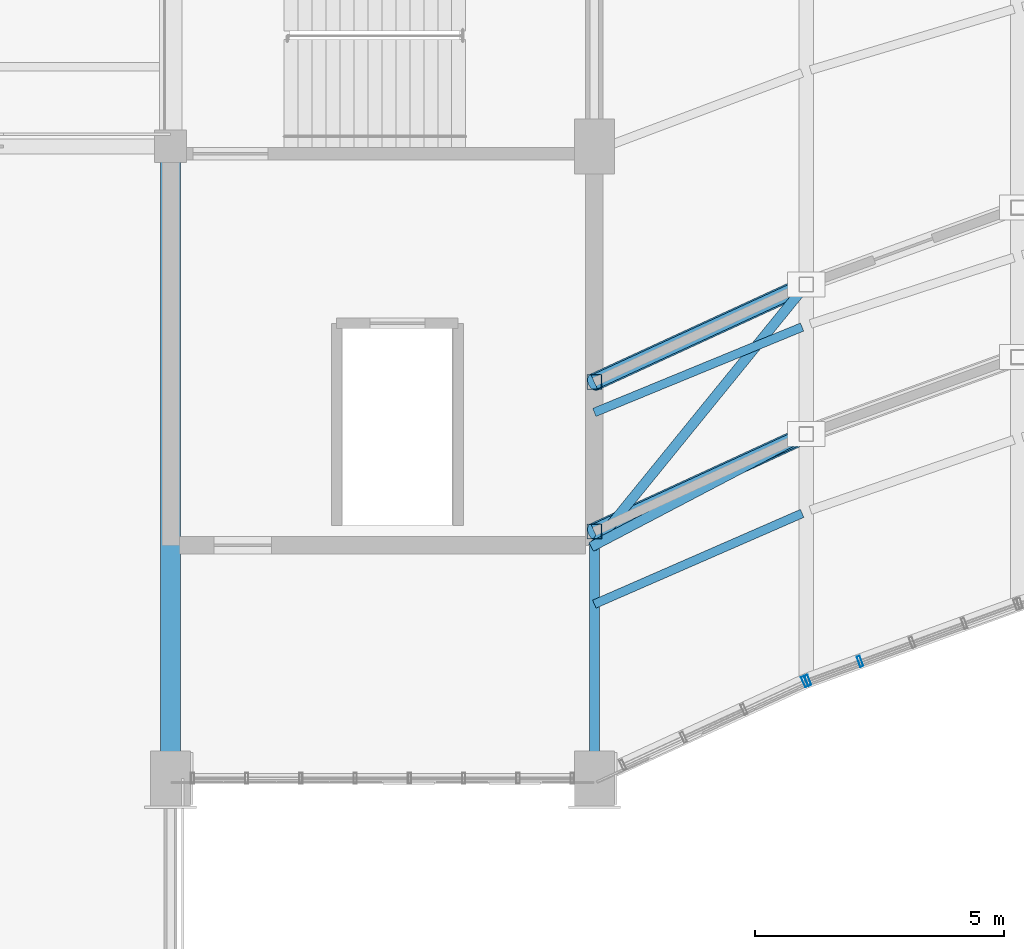
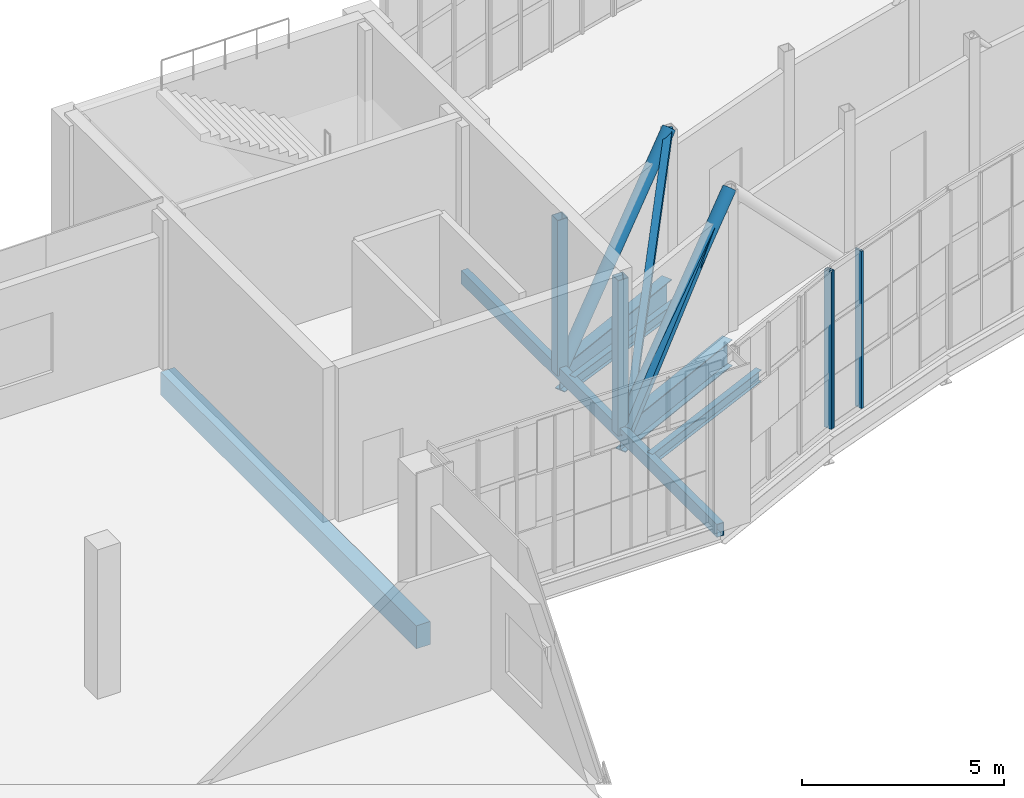
# One storey, part 17 of 66: 9 members, 6 beams, 2 elements without a shape of their own.
"""IFC4 building model written with IfcOpenShell, lengths in metres."""

from ifc_helpers import new_model, si_unit, direction, frame, origin, origin_2d, place, context, subcontext, project, spatial, rectangle, hollow_rectangle, hollow_circle, i_section, extrude, material, material_profile, profile_set, type_object, element, aggregate, save


model = new_model("IFC4")

# Units and contexts
model_context = context("Model", 3, precision=1e-05, world=origin(), true_north=direction((0.0, 1.0)))
body_context = subcontext(model_context, "Body", "Model", "MODEL_VIEW")
ifc_project = project(units=[si_unit("LENGTHUNIT", "METRE"), si_unit("AREAUNIT", "SQUARE_METRE"), si_unit("VOLUMEUNIT", "CUBIC_METRE"), si_unit("PLANEANGLEUNIT", "RADIAN"), si_unit("MASSUNIT", "GRAM", prefix="KILO")], contexts=[model_context])

# Site, building, storey
site_placement = place(None, origin())
site = spatial("IfcSite", under=ifc_project, at=site_placement, CompositionType="ELEMENT")
building_placement = place(site_placement, origin())
building = spatial("IfcBuilding", under=site, at=building_placement, Name="Solvikara Media Centre", CompositionType="ELEMENT")
storey_placement = place(building_placement, frame((0.0, 0.0, 19.800048828125)))
storey = spatial("IfcBuildingStorey", under=building, at=storey_placement, Name="L04", CompositionType="ELEMENT", Elevation=19.800048828125)

# Beams
ifc_material_1 = material(Name="Concrete fc' 35 MPa (C35/45)", Category="concrete")
ifc_material_profile_1 = material_profile(ifc_material_1, rectangle(XDim=0.39990234375, YDim=0.699951171875, at=origin_2d()), Name="RC 400x700")
ifc_profile_set_1 = profile_set([ifc_material_profile_1], Name="Concrete fc' 35 MPa (C35/45)")
beam_type_1 = type_object("IfcBeamType", Name="BM-13", PredefinedType="SPANDREL", material=ifc_profile_set_1)
beam_1_placement = place(storey_placement, frame((68.0, 19.323974609375, -0.630126953125), z_axis=(0.0, 1.0, 0.0), x_axis=(-1.0, 0.0, 0.0)))
element("IfcBeam", 1, at=beam_1_placement, inside=storey, type_object=beam_type_1, Name="B-L04-Y1531", PredefinedType="SPANDREL", context=body_context, shape_type="SweptSolid", body=[
    extrude(rectangle(XDim=0.39990234375, YDim=0.699951171875, at=origin_2d()), origin(), (0.0, 0.0, 1.0), 12.676025390625),
])
ifc_material_2 = material(Name="Steel S355JR", Category="steel")
ifc_material_profile_2 = material_profile(ifc_material_2, i_section(OverallWidth=0.300048828125, OverallDepth=0.800048828125, WebThickness=0.013916015625, FlangeThickness=0.02587890625, at=origin_2d()), Name="WF 800x300x14x26")
ifc_profile_set_2 = profile_set([ifc_material_profile_2], Name="Steel S355JR")
beam_type_2 = type_object("IfcBeamType", Name="BM-16", PredefinedType="BEAM", material=ifc_profile_set_2)
for number, where, z_axis, x_axis, name in (
    (2, (76.5, 24.27392578125, -0.6220703125), (0.908513080243, 0.417856414367, 0.0), (-0.417856414367, 0.908513080243, 0.0), "B-L04-SPNS-00"),
    (3, (76.5, 27.27392578125, -0.6220703125), (0.908513080243, 0.417856414367, 0.0), (-0.417856414367, 0.908513080243, 0.0), "B-L04-SPNN-00"),
):
    element("IfcBeam", number, at=place(storey_placement, frame(where, z_axis=z_axis, x_axis=x_axis)), inside=storey, type_object=beam_type_2, Name=name, PredefinedType="BEAM", context=body_context, shape_type="SweptSolid", body=[
        extrude(i_section(OverallWidth=0.300048828125, OverallDepth=0.800048828125, WebThickness=0.013916015625, FlangeThickness=0.02587890625, at=origin_2d()), origin(), (0.0, 0.0, 1.0), 4.587646484375),
    ])
ifc_material_profile_3 = material_profile(ifc_material_2, i_section(OverallWidth=0.175048828125, OverallDepth=0.35009765625, WebThickness=0.007080078125, FlangeThickness=0.010986328125, at=origin_2d()), Name="WF 350x175x7x11")
ifc_profile_set_3 = profile_set([ifc_material_profile_3], Name="Steel S355JR")
beam_type_3 = type_object("IfcBeamType", Name="BM-22", PredefinedType="JOIST", material=ifc_profile_set_3)
beam_2_placement = place(storey_placement, frame((76.5, 22.819091796875, -0.39697265625), z_axis=(0.916452774581, 0.40014286444, 0.0), x_axis=(-0.40014286444, 0.916452774581, 0.0)))
element("IfcBeam", 4, at=beam_2_placement, inside=storey, type_object=beam_type_3, Name="BJ-L04-00-20", PredefinedType="JOIST", context=body_context, shape_type="SweptSolid", body=[
    extrude(i_section(OverallWidth=0.175048828125, OverallDepth=0.35009765625, WebThickness=0.007080078125, FlangeThickness=0.010986328125, at=origin_2d()), origin(), (0.0, 0.0, 1.0), 4.5478515625),
])
beam_3_placement = place(storey_placement, frame((76.5, 26.6640625, -0.39697265625), z_axis=(0.924906874056, 0.380193732621, 0.0), x_axis=(-0.380193732621, 0.924906874056, 0.0)))
element("IfcBeam", 5, at=beam_3_placement, inside=storey, type_object=beam_type_3, Name="BJ-L04-00-42", PredefinedType="JOIST", context=body_context, shape_type="SweptSolid", body=[
    extrude(i_section(OverallWidth=0.175048828125, OverallDepth=0.35009765625, WebThickness=0.007080078125, FlangeThickness=0.010986328125, at=origin_2d()), origin(), (0.0, 0.0, 1.0), 4.50537109375),
])
ifc_material_profile_4 = material_profile(ifc_material_2, hollow_rectangle(XDim=0.199951171875, YDim=0.39990234375, WallThickness=0.011962890625, at=origin_2d()), Name="RHS 400x200x12")
ifc_profile_set_4 = profile_set([ifc_material_profile_4], Name="Steel S355JR")
beam_type_4 = type_object("IfcBeamType", Name="BM-33", PredefinedType="SPANDREL", material=ifc_profile_set_4)
beam_4_placement = place(storey_placement, frame((76.5, 19.323974609375, -0.422119140625), z_axis=(0.0, 1.0, 0.0), x_axis=(-1.0, 0.0, 0.0)))
element("IfcBeam", 6, at=beam_4_placement, inside=storey, type_object=beam_type_4, Name="B-L04-Y1533", PredefinedType="SPANDREL", context=body_context, shape_type="SweptSolid", body=[
    extrude(hollow_rectangle(XDim=0.199951171875, YDim=0.39990234375, WallThickness=0.011962890625, at=origin_2d()), origin(), (0.0, 0.0, 1.0), 12.676025390625),
])

# Members
ifc_material_profile_5 = material_profile(ifc_material_2, hollow_circle(Radius=0.177734375, WallThickness=0.012451171875, at=origin_2d()), Name="CHS 355.6x12.5")
ifc_profile_set_5 = profile_set([ifc_material_profile_5], Name="Steel S355JR")
member_type_1 = type_object("IfcMemberType", Name="MB-01", PredefinedType="CHORD", material=ifc_profile_set_5)
for number, where, z_axis, x_axis, name in (
    (7, (76.5, 24.27392578125, -0.449951171875), (0.640898285168, 0.294824992396, 0.708750740336), (-0.417919391673, 0.908484112169, 0.0), "WTR-L04-S-DA00"),
    (8, (76.5, 27.27392578125, -0.449951171875), (0.640898285168, 0.294824992396, 0.708750740336), (-0.417919391673, 0.908484112169, 0.0), "WTR-L04-N-DA00"),
):
    element("IfcMember", number, at=place(storey_placement, frame(where, z_axis=z_axis, x_axis=x_axis)), inside=storey, type_object=member_type_1, Name=name, PredefinedType="CHORD", context=body_context, shape_type="SweptSolid", body=[
        extrude(hollow_circle(Radius=0.177734375, WallThickness=0.012451171875, at=origin_2d()), origin(), (0.0, 0.0, 1.0), 6.63134765625),
    ])
ifc_material_profile_6 = material_profile(ifc_material_2, hollow_rectangle(XDim=0.300048828125, YDim=0.300048828125, WallThickness=0.012451171875, at=origin_2d()), Name="RHS 300x300x12.5")
ifc_profile_set_6 = profile_set([ifc_material_profile_6], Name="Steel S355JR")
member_type_2 = type_object("IfcMemberType", Name="MB-11", PredefinedType="CHORD", material=ifc_profile_set_6)
for number, where, z_axis, x_axis, name in (
    (9, (76.5, 24.27392578125, -0.449951171875), (0.0, 0.0, 1.0), (1.0, 0.0, 0.0), "WTR-L04-S-V00"),
    (10, (76.5, 27.27392578125, -0.449951171875), (0.0, 0.0, 1.0), (1.0, 0.0, 0.0), "WTR-L04-N-V00"),
):
    element("IfcMember", number, at=place(storey_placement, frame(where, z_axis=z_axis, x_axis=x_axis)), inside=storey, type_object=member_type_2, Name=name, PredefinedType="CHORD", context=body_context, shape_type="SweptSolid", body=[
        extrude(hollow_rectangle(XDim=0.300048828125, YDim=0.300048828125, WallThickness=0.012451171875, at=origin_2d()), origin(), (0.0, 0.0, 1.0), 4.699951171875),
    ])
ifc_material_profile_7 = material_profile(ifc_material_2, hollow_rectangle(XDim=0.199951171875, YDim=0.199951171875, WallThickness=0.008056640625, at=origin_2d()), Name="RHS 200x200x8")
ifc_profile_set_7 = profile_set([ifc_material_profile_7], Name="Steel S355JR")
member_type_3 = type_object("IfcMemberType", Name="MB-13", PredefinedType="BRACE", material=ifc_profile_set_7)
member_1_placement = place(storey_placement, frame((76.5, 24.0, -0.449951171875), z_axis=(0.632706040868, 0.331836290965, 0.699691176054), x_axis=(-0.464466958116, 0.885590449823, 0.0)))
element("IfcMember", 11, at=member_1_placement, inside=storey, type_object=member_type_3, Name="WTR-L04-S-ANCW", PredefinedType="BRACE", context=body_context, shape_type="SweptSolid", body=[
    extrude(hollow_rectangle(XDim=0.199951171875, YDim=0.199951171875, WallThickness=0.008056640625, at=origin_2d()), origin(), (0.0, 0.0, 1.0), 6.71728515625),
])
member_2_placement = place(storey_placement, frame((76.5, 24.0, -0.449951171875), z_axis=(0.5173145151, 0.636479910639, 0.572083049758), x_axis=(-0.77600981283, 0.63072083396, 0.0)))
element("IfcMember", 12, at=member_2_placement, inside=storey, type_object=member_type_3, Name="WTR-L04-N-ANCW", PredefinedType="BRACE", context=body_context, shape_type="SweptSolid", body=[
    extrude(hollow_rectangle(XDim=0.199951171875, YDim=0.199951171875, WallThickness=0.008056640625, at=origin_2d()), origin(), (0.0, 0.0, 1.0), 8.215576171875),
])

# Curtain wall, member
ifc_material_3 = material(Name="Anodised aluminium EN AW-6063", Category="aluminium")
curtain_wall_type = type_object("IfcCurtainWallType", Name="CW-01", PredefinedType="NOTDEFINED", material=ifc_material_3)
curtain_wall_1_placement = place(storey_placement, origin())
curtain_wall_1 = element("IfcCurtainWall", 13, at=curtain_wall_1_placement, inside=storey, type_object=curtain_wall_type, Name="CW-L04-SARC-00", PredefinedType="NOTDEFINED")
ifc_material_profile_8 = material_profile(ifc_material_3, hollow_rectangle(XDim=0.06494140625, YDim=0.219970703125, WallThickness=0.00390625, at=origin_2d()), Name="ALU-M 65x220x4")
ifc_profile_set_8 = profile_set([ifc_material_profile_8], Name="Anodised aluminium EN AW-6063")
member_type_4 = type_object("IfcMemberType", Name="MF-01", PredefinedType="MULLION", material=ifc_profile_set_8)
member_3_placement = place(storey_placement, frame((80.718017578125, 21.263916015625, 0.02001953125), z_axis=(0.0, 0.0, 1.0), x_axis=(0.908566513921, 0.417740218056, 0.0)))
member_3 = element("IfcMember", 14, at=member_3_placement, type_object=member_type_4, Name="CW-L04-SARC-00-M03", PredefinedType="MULLION", context=body_context, shape_type="SweptSolid", body=[
    extrude(hollow_rectangle(XDim=0.06494140625, YDim=0.219970703125, WallThickness=0.00390625, at=origin_2d()), origin(), (0.0, 0.0, 1.0), 4.760009765625),
])
aggregate(curtain_wall_1, [member_3])

# Curtain wall, members
curtain_wall_2_placement = place(storey_placement, origin())
curtain_wall_2 = element("IfcCurtainWall", 15, at=curtain_wall_2_placement, inside=storey, type_object=curtain_wall_type, Name="CW-L04-SARC-01", PredefinedType="NOTDEFINED")
member_4_placement = place(storey_placement, frame((80.782958984375, 21.291015625, 0.02001953125), z_axis=(0.0, 0.0, 1.0), x_axis=(0.939823877818, 0.341659302058, 0.0)))
member_4 = element("IfcMember", 16, at=member_4_placement, type_object=member_type_4, Name="CW-L04-SARC-01-M00", PredefinedType="MULLION", context=body_context, shape_type="SweptSolid", body=[
    extrude(hollow_rectangle(XDim=0.06494140625, YDim=0.219970703125, WallThickness=0.00390625, at=origin_2d()), origin(), (0.0, 0.0, 1.0), 4.760009765625),
])
member_5_placement = place(storey_placement, frame((81.8291015625, 21.6708984375, 0.02001953125), z_axis=(0.0, 0.0, 1.0), x_axis=(0.939823877818, 0.341659302058, 0.0)))
member_5 = element("IfcMember", 17, at=member_5_placement, type_object=member_type_4, Name="CW-L04-SARC-01-M01", PredefinedType="MULLION", context=body_context, shape_type="SweptSolid", body=[
    extrude(hollow_rectangle(XDim=0.06494140625, YDim=0.219970703125, WallThickness=0.00390625, at=origin_2d()), origin(), (0.0, 0.0, 1.0), 4.760009765625),
])
aggregate(curtain_wall_2, [member_4, member_5])

save(model, "model.ifc")
